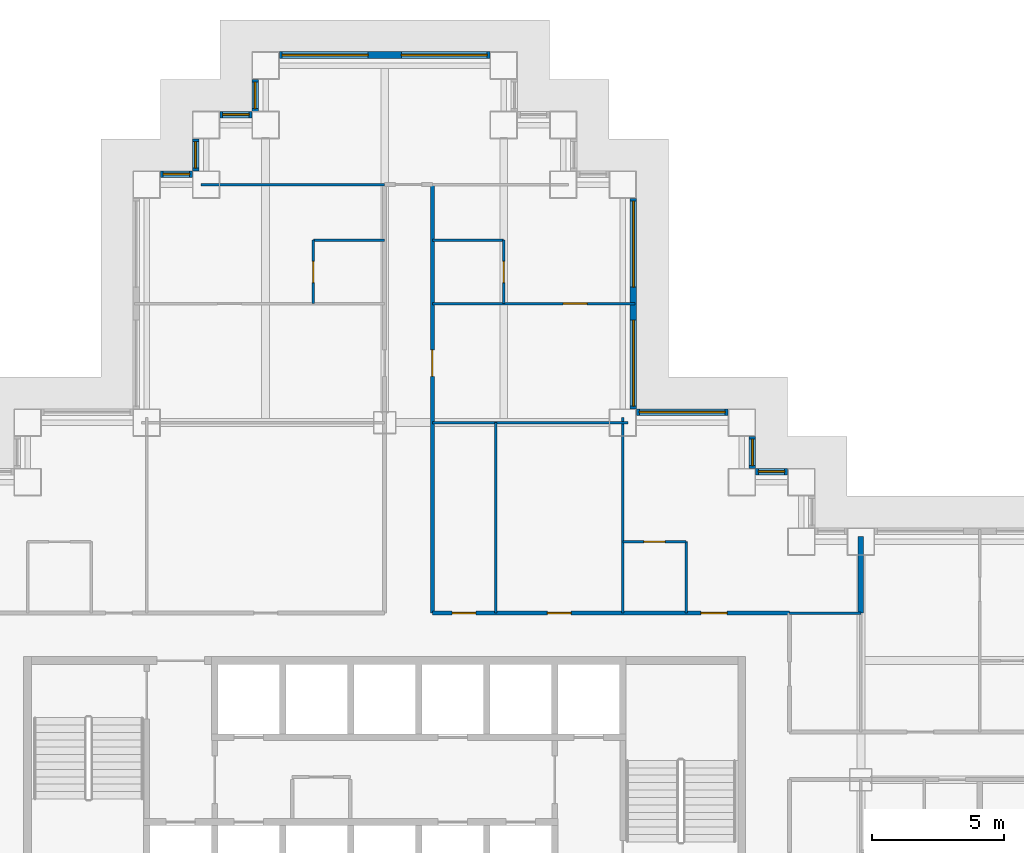
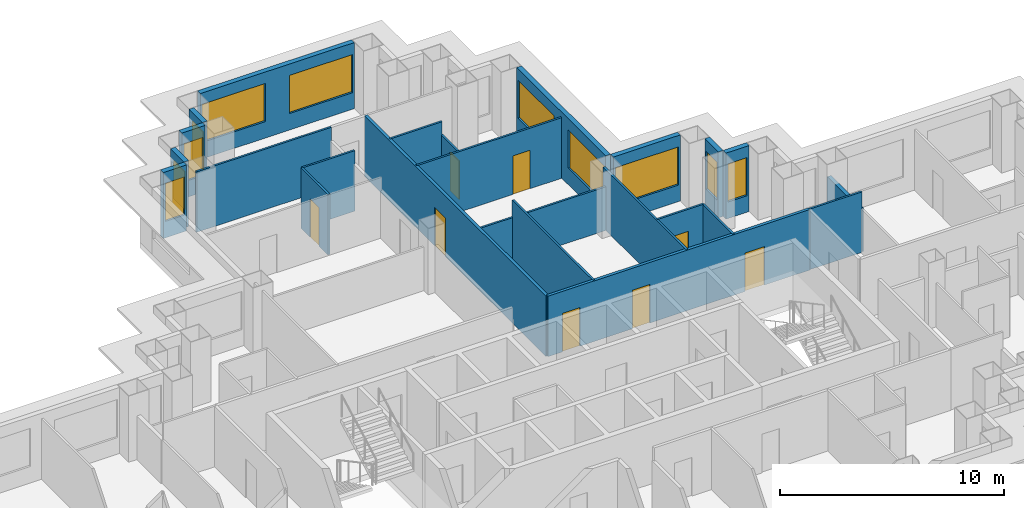
# One storey, part 8 of 14: 24 walls, 11 windows, 8 doors, 19 openings.
"""IFC4 building model written with IfcOpenShell, lengths in metres."""

from ifc_helpers import new_model, si_unit, direction, frame, frame_2d, origin, place, context, subcontext, project, spatial, rectangle, extrude, material, layer, layer_set, type_object, element, fill, save


model = new_model("IFC4")

# Units and contexts
model_context = context("Model", 3, precision=1e-05, world=origin(), true_north=direction((0.0, 1.0)))
body_context = subcontext(model_context, "Body", "Model", "MODEL_VIEW")
ifc_project = project(units=[si_unit("LENGTHUNIT", "METRE"), si_unit("AREAUNIT", "SQUARE_METRE"), si_unit("VOLUMEUNIT", "CUBIC_METRE"), si_unit("PLANEANGLEUNIT", "RADIAN"), si_unit("MASSUNIT", "GRAM", prefix="KILO")], contexts=[model_context])

# Site, building, storey
site_placement = place(None, origin())
site = spatial("IfcSite", under=ifc_project, at=site_placement, CompositionType="ELEMENT")
building_placement = place(site_placement, origin())
building = spatial("IfcBuilding", under=site, at=building_placement, Name="Caravel Reach Hotel and Residences", CompositionType="ELEMENT")
storey_placement = place(building_placement, frame((0.0, 0.0, 40.800048828125)))
storey = spatial("IfcBuildingStorey", under=building, at=storey_placement, Name="L08", CompositionType="ELEMENT", Elevation=40.800048828125)

# Wall, opening, door
ifc_material_1 = material(Name="Gypsum board on steel stud", Category="steel")
ifc_layer_1 = layer(ifc_material_1, 0.10009765625)
ifc_layer_set_1 = layer_set([ifc_layer_1], Name="Bathroom pod wall 100 mm")
wall_type_1 = type_object("IfcWallType", Name="Bathroom pod wall 100 mm", PredefinedType="PARTITIONING", material=ifc_layer_set_1)
wall_1_placement = place(storey_placement, frame((40.5, 36.0, 0.0), z_axis=(0.0, 0.0, 1.0), x_axis=(1.0, 0.0, 0.0)))
wall_1 = element("IfcWall", 1, at=wall_1_placement, inside=storey, type_object=wall_type_1, Name="L08 wall w086", PredefinedType="PARTITIONING", context=body_context, shape_type="SweptSolid", body=[
    extrude(rectangle(XDim=2.39990234375, YDim=0.10009765625, at=frame_2d((1.199951171875, 0.0))), origin(), (0.0, 0.0, 1.0), 3.300048828125),
])
opening_1_placement = place(wall_1_placement, frame((0.800048828125, 0.0, 0.0)))
opening_1 = element("IfcOpeningElement", 2, at=opening_1_placement, cuts=wall_1, Name="Opening D08-044", PredefinedType="OPENING", context=body_context, shape_type="SweptSolid", body=[
    extrude(rectangle(XDim=0.800048828125, YDim=2.10009765625, at=frame_2d((0.39990234375, 1.050048828125))), frame((0.0, 0.06005859375, 0.0), z_axis=(0.0, -1.0, 0.0), x_axis=(1.0, 0.0, 0.0)), (0.0, 0.0, 1.0), 0.1201171875),
])
ifc_material_2 = material(Name="Timber and steel door leaf", Category="steel")
door_type_1 = type_object("IfcDoorType", Name="Bathroom door 800 x 2100", OperationType="SINGLE_SWING_LEFT", PredefinedType="DOOR", material=ifc_material_2)
door_1_placement = place(opening_1_placement, origin())
door_1 = element("IfcDoor", 3, at=door_1_placement, inside=storey, type_object=door_type_1, Name="door D08-044", OperationType="SINGLE_SWING_RIGHT", OverallHeight=2.10009765625, OverallWidth=0.800048828125, PredefinedType="DOOR", context=body_context, shape_type="SweptSolid", body=[
    extrude(rectangle(XDim=0.800048828125, YDim=2.10009765625, at=frame_2d((0.39990234375, 1.050048828125))), frame((0.0, 0.02490234375, 0.0), z_axis=(0.0, -1.0, 0.0), x_axis=(1.0, 0.0, 0.0)), (0.0, 0.0, 1.0), 0.050048828125),
])
fill(opening_1, door_1)

# Walls
for number, where, z_axis, x_axis, name in (
    (4, (33.300048828125, 47.39990234375, 0.0), (0.0, 0.0, 1.0), (1.0, 0.0, 0.0), "L08 wall w087"),
    (5, (28.800048828125, 47.39990234375, 0.0), (0.0, 0.0, 1.0), (1.0, 0.0, 0.0), "L08 wall w088"),
):
    element("IfcWall", number, at=place(storey_placement, frame(where, z_axis=z_axis, x_axis=x_axis)), inside=storey, type_object=wall_type_1, Name=name, PredefinedType="PARTITIONING", context=body_context, shape_type="SweptSolid", body=[
        extrude(rectangle(XDim=2.699951171875, YDim=0.10009765625, at=frame_2d((1.35009765625, 0.0))), origin(), (0.0, 0.0, 1.0), 3.300048828125),
    ])

# Wall, opening, door
wall_2_placement = place(storey_placement, frame((28.800048828125, 45.0, 0.0), z_axis=(0.0, 0.0, 1.0), x_axis=(0.0, 1.0, 0.0)))
wall_2 = element("IfcWall", 6, at=wall_2_placement, inside=storey, type_object=wall_type_1, Name="L08 wall w096", PredefinedType="PARTITIONING", context=body_context, shape_type="SweptSolid", body=[
    extrude(rectangle(XDim=2.39990234375, YDim=0.10009765625, at=frame_2d((1.199951171875, 0.0))), origin(), (0.0, 0.0, 1.0), 3.300048828125),
])
opening_2_placement = place(wall_2_placement, frame((0.800048828125, 0.0, 0.0)))
opening_2 = element("IfcOpeningElement", 7, at=opening_2_placement, cuts=wall_2, Name="Opening D08-028", PredefinedType="OPENING", context=body_context, shape_type="SweptSolid", body=[
    extrude(rectangle(XDim=0.800048828125, YDim=2.10009765625, at=frame_2d((0.39990234375, 1.050048828125))), frame((0.0, 0.06005859375, 0.0), z_axis=(0.0, -1.0, 0.0), x_axis=(1.0, 0.0, 0.0)), (0.0, 0.0, 1.0), 0.1201171875),
])
door_2_placement = place(opening_2_placement, origin())
door_2 = element("IfcDoor", 8, at=door_2_placement, inside=storey, type_object=door_type_1, Name="door D08-028", OperationType="SINGLE_SWING_RIGHT", OverallHeight=2.10009765625, OverallWidth=0.800048828125, PredefinedType="DOOR", context=body_context, shape_type="SweptSolid", body=[
    extrude(rectangle(XDim=0.800048828125, YDim=2.10009765625, at=frame_2d((0.39990234375, 1.050048828125))), frame((0.0, 0.02490234375, 0.0), z_axis=(0.0, -1.0, 0.0), x_axis=(1.0, 0.0, 0.0)), (0.0, 0.0, 1.0), 0.050048828125),
])
fill(opening_2, door_2)

wall_3_placement = place(storey_placement, frame((36.0, 45.0, 0.0), z_axis=(0.0, 0.0, 1.0), x_axis=(0.0, 1.0, 0.0)))
wall_3 = element("IfcWall", 9, at=wall_3_placement, inside=storey, type_object=wall_type_1, Name="L08 wall w098", PredefinedType="PARTITIONING", context=body_context, shape_type="SweptSolid", body=[
    extrude(rectangle(XDim=2.39990234375, YDim=0.10009765625, at=frame_2d((1.199951171875, 0.0))), origin(), (0.0, 0.0, 1.0), 2.579833984375),
])
opening_3_placement = place(wall_3_placement, frame((0.800048828125, 0.0, 0.0)))
opening_3 = element("IfcOpeningElement", 10, at=opening_3_placement, cuts=wall_3, Name="Opening D08-031", PredefinedType="OPENING", context=body_context, shape_type="SweptSolid", body=[
    extrude(rectangle(XDim=0.800048828125, YDim=2.10009765625, at=frame_2d((0.39990234375, 1.050048828125))), frame((0.0, 0.06005859375, 0.0), z_axis=(0.0, -1.0, 0.0), x_axis=(1.0, 0.0, 0.0)), (0.0, 0.0, 1.0), 0.1201171875),
])
door_3_placement = place(opening_3_placement, origin())
door_3 = element("IfcDoor", 11, at=door_3_placement, inside=storey, type_object=door_type_1, Name="door D08-031", OperationType="SINGLE_SWING_RIGHT", OverallHeight=2.10009765625, OverallWidth=0.800048828125, PredefinedType="DOOR", context=body_context, shape_type="SweptSolid", body=[
    extrude(rectangle(XDim=0.800048828125, YDim=2.10009765625, at=frame_2d((0.39990234375, 1.050048828125))), frame((0.0, 0.02490234375, 0.0), z_axis=(0.0, -1.0, 0.0), x_axis=(1.0, 0.0, 0.0)), (0.0, 0.0, 1.0), 0.050048828125),
])
fill(opening_3, door_3)

# Wall
wall_4_placement = place(storey_placement, frame((42.89990234375, 33.300048828125, 0.0), z_axis=(0.0, 0.0, 1.0), x_axis=(0.0, 1.0, 0.0)))
element("IfcWall", 12, at=wall_4_placement, inside=storey, type_object=wall_type_1, Name="L08 wall w099", PredefinedType="PARTITIONING", context=body_context, shape_type="SweptSolid", body=[
    extrude(rectangle(XDim=2.699951171875, YDim=0.10009765625, at=frame_2d((1.35009765625, 0.0))), origin(), (0.0, 0.0, 1.0), 3.300048828125),
])

# Wall, openings, doors
ifc_material_3 = material(Name="Gypsum board on steel stud, fire-rated", Category="steel")
ifc_layer_2 = layer(ifc_material_3, 0.14990234375)
ifc_layer_set_2 = layer_set([ifc_layer_2], Name="Corridor wall 150 mm EI 60")
wall_type_2 = type_object("IfcWallType", Name="Corridor wall 150 mm EI 60", PredefinedType="PARTITIONING", material=ifc_layer_set_2)
wall_5_placement = place(storey_placement, frame((33.300048828125, 33.300048828125, 0.0), z_axis=(0.0, 0.0, 1.0), x_axis=(1.0, 0.0, 0.0)))
wall_5 = element("IfcWall", 13, at=wall_5_placement, inside=storey, type_object=wall_type_2, Name="L08 wall w019", PredefinedType="PARTITIONING", context=body_context, shape_type="SweptSolid", body=[
    extrude(rectangle(XDim=13.5, YDim=0.14990234375, at=frame_2d((6.75, 0.0))), origin(), (0.0, 0.0, 1.0), 3.300048828125),
])
opening_4_placement = place(wall_5_placement, frame((10.14990234375, 0.0, 0.0)))
opening_4 = element("IfcOpeningElement", 14, at=opening_4_placement, cuts=wall_5, Name="Opening D08-043", PredefinedType="OPENING", context=body_context, shape_type="SweptSolid", body=[
    extrude(rectangle(XDim=1.0, YDim=2.10009765625, at=frame_2d((0.5, 1.050048828125))), frame((0.0, 0.0849609375, 0.0), z_axis=(0.0, -1.0, 0.0), x_axis=(1.0, 0.0, 0.0)), (0.0, 0.0, 1.0), 0.169921875),
])
opening_5_placement = place(wall_5_placement, frame((0.75, 0.0, 0.0)))
opening_5 = element("IfcOpeningElement", 15, at=opening_5_placement, cuts=wall_5, Name="Opening D08-050", PredefinedType="OPENING", context=body_context, shape_type="SweptSolid", body=[
    extrude(rectangle(XDim=0.89990234375, YDim=2.10009765625, at=frame_2d((0.449951171875, 1.050048828125))), frame((0.0, 0.0849609375, 0.0), z_axis=(0.0, -1.0, 0.0), x_axis=(1.0, 0.0, 0.0)), (0.0, 0.0, 1.0), 0.169921875),
])
opening_6_placement = place(wall_5_placement, frame((4.349853515625, 0.0, 0.0)))
opening_6 = element("IfcOpeningElement", 16, at=opening_6_placement, cuts=wall_5, Name="Opening D08-051", PredefinedType="OPENING", context=body_context, shape_type="SweptSolid", body=[
    extrude(rectangle(XDim=0.89990234375, YDim=2.10009765625, at=frame_2d((0.449951171875, 1.050048828125))), frame((0.0, 0.0849609375, 0.0), z_axis=(0.0, -1.0, 0.0), x_axis=(1.0, 0.0, 0.0)), (0.0, 0.0, 1.0), 0.169921875),
])
ifc_material_4 = material(Name="Timber and steel door leaf", Category="steel")
door_type_2 = type_object("IfcDoorType", Name="Door 900 x 2100 timber", OperationType="SINGLE_SWING_LEFT", PredefinedType="DOOR", material=ifc_material_4)
door_4_placement = place(opening_5_placement, origin())
door_4 = element("IfcDoor", 17, at=door_4_placement, inside=storey, type_object=door_type_2, Name="door D08-050", OperationType="SINGLE_SWING_LEFT", OverallHeight=2.10009765625, OverallWidth=0.89990234375, PredefinedType="DOOR", context=body_context, shape_type="SweptSolid", body=[
    extrude(rectangle(XDim=0.89990234375, YDim=2.10009765625, at=frame_2d((0.449951171875, 1.050048828125))), frame((0.0, 0.02490234375, 0.0), z_axis=(0.0, -1.0, 0.0), x_axis=(1.0, 0.0, 0.0)), (0.0, 0.0, 1.0), 0.050048828125),
])
fill(opening_5, door_4)
door_5_placement = place(opening_6_placement, origin())
door_5 = element("IfcDoor", 18, at=door_5_placement, inside=storey, type_object=door_type_2, Name="door D08-051", OperationType="SINGLE_SWING_RIGHT", OverallHeight=2.10009765625, OverallWidth=0.89990234375, PredefinedType="DOOR", context=body_context, shape_type="SweptSolid", body=[
    extrude(rectangle(XDim=0.89990234375, YDim=2.10009765625, at=frame_2d((0.449951171875, 1.050048828125))), frame((0.0, 0.02490234375, 0.0), z_axis=(0.0, -1.0, 0.0), x_axis=(1.0, 0.0, 0.0)), (0.0, 0.0, 1.0), 0.050048828125),
])
fill(opening_6, door_5)
ifc_material_5 = material(Name="Steel fire door leaf", Category="steel")
door_type_3 = type_object("IfcDoorType", Name="Guest room door 1000 x 2100 EI 30", OperationType="SINGLE_SWING_LEFT", PredefinedType="DOOR", material=ifc_material_5)
door_6_placement = place(opening_4_placement, origin())
door_6 = element("IfcDoor", 19, at=door_6_placement, inside=storey, type_object=door_type_3, Name="door D08-043", OperationType="SINGLE_SWING_RIGHT", OverallHeight=2.10009765625, OverallWidth=1.0, PredefinedType="DOOR", context=body_context, shape_type="SweptSolid", body=[
    extrude(rectangle(XDim=1.0, YDim=2.10009765625, at=frame_2d((0.5, 1.050048828125))), frame((0.0, 0.02490234375, 0.0), z_axis=(0.0, -1.0, 0.0), x_axis=(1.0, 0.0, 0.0)), (0.0, 0.0, 1.0), 0.050048828125),
])
fill(opening_4, door_6)

# Wall, opening, door
wall_6_placement = place(storey_placement, frame((33.300048828125, 33.300048828125, 0.0), z_axis=(0.0, 0.0, 1.0), x_axis=(0.0, 1.0, 0.0)))
wall_6 = element("IfcWall", 20, at=wall_6_placement, inside=storey, type_object=wall_type_2, Name="L08 wall w031", PredefinedType="PARTITIONING", context=body_context, shape_type="SweptSolid", body=[
    extrude(rectangle(XDim=16.199951171875, YDim=0.14990234375, at=frame_2d((8.10009765625, 0.0))), origin(), (0.0, 0.0, 1.0), 3.300048828125),
])
opening_7_placement = place(wall_6_placement, frame((8.949951171875, 0.0, 0.0)))
opening_7 = element("IfcOpeningElement", 21, at=opening_7_placement, cuts=wall_6, Name="Opening D08-029", PredefinedType="OPENING", context=body_context, shape_type="SweptSolid", body=[
    extrude(rectangle(XDim=1.0, YDim=2.10009765625, at=frame_2d((0.5, 1.050048828125))), frame((0.0, 0.0849609375, 0.0), z_axis=(0.0, -1.0, 0.0), x_axis=(1.0, 0.0, 0.0)), (0.0, 0.0, 1.0), 0.169921875),
])
door_7_placement = place(opening_7_placement, origin())
door_7 = element("IfcDoor", 22, at=door_7_placement, inside=storey, type_object=door_type_3, Name="door D08-029", OperationType="SINGLE_SWING_LEFT", OverallHeight=2.10009765625, OverallWidth=1.0, PredefinedType="DOOR", context=body_context, shape_type="SweptSolid", body=[
    extrude(rectangle(XDim=1.0, YDim=2.10009765625, at=frame_2d((0.5, 1.050048828125))), frame((0.0, 0.02490234375, 0.0), z_axis=(0.0, -1.0, 0.0), x_axis=(1.0, 0.0, 0.0)), (0.0, 0.0, 1.0), 0.050048828125),
])
fill(opening_7, door_7)

# Wall, opening, window
ifc_material_6 = material(Name="Insulated rainscreen wall, aluminium cladding", Category="aluminium")
ifc_layer_3 = layer(ifc_material_6, 0.25)
ifc_layer_set_3 = layer_set([ifc_layer_3], Name="EW1 Tower rainscreen wall")
wall_type_3 = type_object("IfcWallType", Name="EW1 Tower rainscreen wall", PredefinedType="SOLIDWALL", material=ifc_layer_set_3)
wall_7_placement = place(storey_placement, frame((46.72509765625, 38.64990234375, 0.0), z_axis=(0.0, 0.0, 1.0), x_axis=(-1.0, 0.0, 0.0)))
wall_7 = element("IfcWall", 23, at=wall_7_placement, inside=storey, type_object=wall_type_3, Name="External wall L08 N27.1", PredefinedType="SOLIDWALL", context=body_context, shape_type="SweptSolid", body=[
    extrude(rectangle(XDim=1.2001953125, YDim=0.25, at=frame_2d((0.60009765625, 0.0))), origin(), (0.0, 0.0, 1.0), 3.599853515625),
])
opening_8_placement = place(wall_7_placement, frame((0.10009765625, 0.0, 0.89990234375)))
opening_8 = element("IfcOpeningElement", 24, at=opening_8_placement, cuts=wall_7, Name="Opening WN1", PredefinedType="OPENING", context=body_context, shape_type="SweptSolid", body=[
    extrude(rectangle(XDim=1.0, YDim=2.080078125, at=frame_2d((0.5, 1.0400390625))), frame((0.0, 0.135009765625, 0.0), z_axis=(0.0, -1.0, 0.0), x_axis=(1.0, 0.0, 0.0)), (0.0, 0.0, 1.0), 0.27001953125),
])
ifc_material_7 = material(Name="Dark low-e glazing in black aluminium frame", Category="aluminium")
window_type_1 = type_object("IfcWindowType", Name="Hotel suite corner window 1000 x 2080", PartitioningType="SINGLE_PANEL", PredefinedType="WINDOW", material=ifc_material_7)
window_1_placement = place(opening_8_placement, origin())
window_1 = element("IfcWindow", 25, at=window_1_placement, inside=storey, type_object=window_type_1, Name="Window L08 N27.1.1", OverallHeight=2.080078125, OverallWidth=1.0, PartitioningType="SINGLE_PANEL", PredefinedType="WINDOW", context=body_context, shape_type="SweptSolid", body=[
    extrude(rectangle(XDim=1.0, YDim=2.080078125, at=frame_2d((0.5, 1.0400390625))), frame((0.0, 0.030029296875, 0.0), z_axis=(0.0, -1.0, 0.0), x_axis=(1.0, 0.0, 0.0)), (0.0, 0.0, 1.0), 0.06005859375),
])
fill(opening_8, window_1)

wall_8_placement = place(storey_placement, frame((45.39990234375, 38.77490234375, 0.0), z_axis=(0.0, 0.0, 1.0), x_axis=(0.0, 1.0, 0.0)))
wall_8 = element("IfcWall", 26, at=wall_8_placement, inside=storey, type_object=wall_type_3, Name="External wall L08 E28.1", PredefinedType="SOLIDWALL", context=body_context, shape_type="SweptSolid", body=[
    extrude(rectangle(XDim=1.2001953125, YDim=0.25, at=frame_2d((0.60009765625, 0.0))), origin(), (0.0, 0.0, 1.0), 3.599853515625),
])
opening_9_placement = place(wall_8_placement, frame((0.10009765625, 0.0, 0.89990234375)))
opening_9 = element("IfcOpeningElement", 27, at=opening_9_placement, cuts=wall_8, Name="Opening WN1", PredefinedType="OPENING", context=body_context, shape_type="SweptSolid", body=[
    extrude(rectangle(XDim=1.0, YDim=2.080078125, at=frame_2d((0.5, 1.0400390625))), frame((0.0, 0.135009765625, 0.0), z_axis=(0.0, -1.0, 0.0), x_axis=(1.0, 0.0, 0.0)), (0.0, 0.0, 1.0), 0.27001953125),
])
window_2_placement = place(opening_9_placement, origin())
window_2 = element("IfcWindow", 28, at=window_2_placement, inside=storey, type_object=window_type_1, Name="Window L08 E28.1.1", OverallHeight=2.080078125, OverallWidth=1.0, PartitioningType="SINGLE_PANEL", PredefinedType="WINDOW", context=body_context, shape_type="SweptSolid", body=[
    extrude(rectangle(XDim=1.0, YDim=2.080078125, at=frame_2d((0.5, 1.0400390625))), frame((0.0, 0.030029296875, 0.0), z_axis=(0.0, -1.0, 0.0), x_axis=(1.0, 0.0, 0.0)), (0.0, 0.0, 1.0), 0.06005859375),
])
fill(opening_9, window_2)

wall_9_placement = place(storey_placement, frame((44.47509765625, 40.89990234375, 0.0), z_axis=(0.0, 0.0, 1.0), x_axis=(-1.0, 0.0, 0.0)))
wall_9 = element("IfcWall", 29, at=wall_9_placement, inside=storey, type_object=wall_type_3, Name="External wall L08 N29.1", PredefinedType="SOLIDWALL", context=body_context, shape_type="SweptSolid", body=[
    extrude(rectangle(XDim=3.4501953125, YDim=0.25, at=frame_2d((1.72509765625, 0.0))), origin(), (0.0, 0.0, 1.0), 3.599853515625),
])
opening_10_placement = place(wall_9_placement, frame((0.10009765625, 0.0, 0.89990234375)))
opening_10 = element("IfcOpeningElement", 30, at=opening_10_placement, cuts=wall_9, Name="Opening WN2", PredefinedType="OPENING", context=body_context, shape_type="SweptSolid", body=[
    extrude(rectangle(XDim=3.25, YDim=2.080078125, at=frame_2d((1.625, 1.0400390625))), frame((0.0, 0.135009765625, 0.0), z_axis=(0.0, -1.0, 0.0), x_axis=(1.0, 0.0, 0.0)), (0.0, 0.0, 1.0), 0.27001953125),
])
ifc_material_8 = material(Name="Dark low-e glazing in black aluminium frame", Category="aluminium")
window_type_2 = type_object("IfcWindowType", Name="Hotel guest room window 3250 x 2080", PartitioningType="SINGLE_PANEL", PredefinedType="WINDOW", material=ifc_material_8)
window_3_placement = place(opening_10_placement, origin())
window_3 = element("IfcWindow", 31, at=window_3_placement, inside=storey, type_object=window_type_2, Name="Window L08 N29.1.1", OverallHeight=2.080078125, OverallWidth=3.25, PartitioningType="SINGLE_PANEL", PredefinedType="WINDOW", context=body_context, shape_type="SweptSolid", body=[
    extrude(rectangle(XDim=3.25, YDim=2.080078125, at=frame_2d((1.625, 1.0400390625))), frame((0.0, 0.030029296875, 0.0), z_axis=(0.0, -1.0, 0.0), x_axis=(1.0, 0.0, 0.0)), (0.0, 0.0, 1.0), 0.06005859375),
])
fill(opening_10, window_3)

# Wall, openings, windows
wall_10_placement = place(storey_placement, frame((40.89990234375, 41.02490234375, 0.0), z_axis=(0.0, 0.0, 1.0), x_axis=(0.0, 1.0, 0.0)))
wall_10 = element("IfcWall", 32, at=wall_10_placement, inside=storey, type_object=wall_type_3, Name="External wall L08 E30.1", PredefinedType="SOLIDWALL", context=body_context, shape_type="SweptSolid", body=[
    extrude(rectangle(XDim=7.9501953125, YDim=0.25, at=frame_2d((3.97509765625, 0.0))), origin(), (0.0, 0.0, 1.0), 3.599853515625),
])
opening_11_placement = place(wall_10_placement, frame((0.10009765625, 0.0, 0.89990234375)))
opening_11 = element("IfcOpeningElement", 33, at=opening_11_placement, cuts=wall_10, Name="Opening WN2", PredefinedType="OPENING", context=body_context, shape_type="SweptSolid", body=[
    extrude(rectangle(XDim=3.25, YDim=2.080078125, at=frame_2d((1.625, 1.0400390625))), frame((0.0, 0.135009765625, 0.0), z_axis=(0.0, -1.0, 0.0), x_axis=(1.0, 0.0, 0.0)), (0.0, 0.0, 1.0), 0.27001953125),
])
opening_12_placement = place(wall_10_placement, frame((4.60009765625, 0.0, 0.89990234375)))
opening_12 = element("IfcOpeningElement", 34, at=opening_12_placement, cuts=wall_10, Name="Opening WN2", PredefinedType="OPENING", context=body_context, shape_type="SweptSolid", body=[
    extrude(rectangle(XDim=3.25, YDim=2.080078125, at=frame_2d((1.625, 1.0400390625))), frame((0.0, 0.135009765625, 0.0), z_axis=(0.0, -1.0, 0.0), x_axis=(1.0, 0.0, 0.0)), (0.0, 0.0, 1.0), 0.27001953125),
])
window_4_placement = place(opening_11_placement, origin())
window_4 = element("IfcWindow", 35, at=window_4_placement, inside=storey, type_object=window_type_2, Name="Window L08 E30.1.1", OverallHeight=2.080078125, OverallWidth=3.25, PartitioningType="SINGLE_PANEL", PredefinedType="WINDOW", context=body_context, shape_type="SweptSolid", body=[
    extrude(rectangle(XDim=3.25, YDim=2.080078125, at=frame_2d((1.625, 1.0400390625))), frame((0.0, 0.030029296875, 0.0), z_axis=(0.0, -1.0, 0.0), x_axis=(1.0, 0.0, 0.0)), (0.0, 0.0, 1.0), 0.06005859375),
])
fill(opening_11, window_4)
window_5_placement = place(opening_12_placement, origin())
window_5 = element("IfcWindow", 36, at=window_5_placement, inside=storey, type_object=window_type_2, Name="Window L08 E30.1.2", OverallHeight=2.080078125, OverallWidth=3.25, PartitioningType="SINGLE_PANEL", PredefinedType="WINDOW", context=body_context, shape_type="SweptSolid", body=[
    extrude(rectangle(XDim=3.25, YDim=2.080078125, at=frame_2d((1.625, 1.0400390625))), frame((0.0, 0.030029296875, 0.0), z_axis=(0.0, -1.0, 0.0), x_axis=(1.0, 0.0, 0.0)), (0.0, 0.0, 1.0), 0.06005859375),
])
fill(opening_12, window_5)

wall_11_placement = place(storey_placement, frame((35.47509765625, 54.39990234375, 0.0), z_axis=(0.0, 0.0, 1.0), x_axis=(-1.0, 0.0, 0.0)))
wall_11 = element("IfcWall", 37, at=wall_11_placement, inside=storey, type_object=wall_type_3, Name="External wall L08 N35.1", PredefinedType="SOLIDWALL", context=body_context, shape_type="SweptSolid", body=[
    extrude(rectangle(XDim=7.9501953125, YDim=0.25, at=frame_2d((3.97509765625, 0.0))), origin(), (0.0, 0.0, 1.0), 3.599853515625),
])
opening_13_placement = place(wall_11_placement, frame((0.10009765625, 0.0, 0.89990234375)))
opening_13 = element("IfcOpeningElement", 38, at=opening_13_placement, cuts=wall_11, Name="Opening WN2", PredefinedType="OPENING", context=body_context, shape_type="SweptSolid", body=[
    extrude(rectangle(XDim=3.25, YDim=2.080078125, at=frame_2d((1.625, 1.0400390625))), frame((0.0, 0.135009765625, 0.0), z_axis=(0.0, -1.0, 0.0), x_axis=(1.0, 0.0, 0.0)), (0.0, 0.0, 1.0), 0.27001953125),
])
opening_14_placement = place(wall_11_placement, frame((4.60009765625, 0.0, 0.89990234375)))
opening_14 = element("IfcOpeningElement", 39, at=opening_14_placement, cuts=wall_11, Name="Opening WN2", PredefinedType="OPENING", context=body_context, shape_type="SweptSolid", body=[
    extrude(rectangle(XDim=3.25, YDim=2.080078125, at=frame_2d((1.625, 1.0400390625))), frame((0.0, 0.135009765625, 0.0), z_axis=(0.0, -1.0, 0.0), x_axis=(1.0, 0.0, 0.0)), (0.0, 0.0, 1.0), 0.27001953125),
])
window_6_placement = place(opening_13_placement, origin())
window_6 = element("IfcWindow", 40, at=window_6_placement, inside=storey, type_object=window_type_2, Name="Window L08 N35.1.1", OverallHeight=2.080078125, OverallWidth=3.25, PartitioningType="SINGLE_PANEL", PredefinedType="WINDOW", context=body_context, shape_type="SweptSolid", body=[
    extrude(rectangle(XDim=3.25, YDim=2.080078125, at=frame_2d((1.625, 1.0400390625))), frame((0.0, 0.030029296875, 0.0), z_axis=(0.0, -1.0, 0.0), x_axis=(1.0, 0.0, 0.0)), (0.0, 0.0, 1.0), 0.06005859375),
])
fill(opening_13, window_6)
window_7_placement = place(opening_14_placement, origin())
window_7 = element("IfcWindow", 41, at=window_7_placement, inside=storey, type_object=window_type_2, Name="Window L08 N35.1.2", OverallHeight=2.080078125, OverallWidth=3.25, PartitioningType="SINGLE_PANEL", PredefinedType="WINDOW", context=body_context, shape_type="SweptSolid", body=[
    extrude(rectangle(XDim=3.25, YDim=2.080078125, at=frame_2d((1.625, 1.0400390625))), frame((0.0, 0.030029296875, 0.0), z_axis=(0.0, -1.0, 0.0), x_axis=(1.0, 0.0, 0.0)), (0.0, 0.0, 1.0), 0.06005859375),
])
fill(opening_14, window_7)

# Wall, opening, window
wall_12_placement = place(storey_placement, frame((26.60009765625, 53.47509765625, 0.0), z_axis=(0.0, 0.0, 1.0), x_axis=(0.0, -1.0, 0.0)))
wall_12 = element("IfcWall", 42, at=wall_12_placement, inside=storey, type_object=wall_type_3, Name="External wall L08 W36.1", PredefinedType="SOLIDWALL", context=body_context, shape_type="SweptSolid", body=[
    extrude(rectangle(XDim=1.2001953125, YDim=0.25, at=frame_2d((0.60009765625, 0.0))), origin(), (0.0, 0.0, 1.0), 3.599853515625),
])
opening_15_placement = place(wall_12_placement, frame((0.10009765625, 0.0, 0.89990234375)))
opening_15 = element("IfcOpeningElement", 43, at=opening_15_placement, cuts=wall_12, Name="Opening WN1", PredefinedType="OPENING", context=body_context, shape_type="SweptSolid", body=[
    extrude(rectangle(XDim=1.0, YDim=2.080078125, at=frame_2d((0.5, 1.0400390625))), frame((0.0, 0.135009765625, 0.0), z_axis=(0.0, -1.0, 0.0), x_axis=(1.0, 0.0, 0.0)), (0.0, 0.0, 1.0), 0.27001953125),
])
window_8_placement = place(opening_15_placement, origin())
window_8 = element("IfcWindow", 44, at=window_8_placement, inside=storey, type_object=window_type_1, Name="Window L08 W36.1.1", OverallHeight=2.080078125, OverallWidth=1.0, PartitioningType="SINGLE_PANEL", PredefinedType="WINDOW", context=body_context, shape_type="SweptSolid", body=[
    extrude(rectangle(XDim=1.0, YDim=2.080078125, at=frame_2d((0.5, 1.0400390625))), frame((0.0, 0.030029296875, 0.0), z_axis=(0.0, -1.0, 0.0), x_axis=(1.0, 0.0, 0.0)), (0.0, 0.0, 1.0), 0.06005859375),
])
fill(opening_15, window_8)

wall_13_placement = place(storey_placement, frame((26.47509765625, 52.14990234375, 0.0), z_axis=(0.0, 0.0, 1.0), x_axis=(-1.0, 0.0, 0.0)))
wall_13 = element("IfcWall", 45, at=wall_13_placement, inside=storey, type_object=wall_type_3, Name="External wall L08 N37.1", PredefinedType="SOLIDWALL", context=body_context, shape_type="SweptSolid", body=[
    extrude(rectangle(XDim=1.2001953125, YDim=0.25, at=frame_2d((0.60009765625, 0.0))), origin(), (0.0, 0.0, 1.0), 3.599853515625),
])
opening_16_placement = place(wall_13_placement, frame((0.10009765625, 0.0, 0.89990234375)))
opening_16 = element("IfcOpeningElement", 46, at=opening_16_placement, cuts=wall_13, Name="Opening WN1", PredefinedType="OPENING", context=body_context, shape_type="SweptSolid", body=[
    extrude(rectangle(XDim=1.0, YDim=2.080078125, at=frame_2d((0.5, 1.0400390625))), frame((0.0, 0.135009765625, 0.0), z_axis=(0.0, -1.0, 0.0), x_axis=(1.0, 0.0, 0.0)), (0.0, 0.0, 1.0), 0.27001953125),
])
window_9_placement = place(opening_16_placement, origin())
window_9 = element("IfcWindow", 47, at=window_9_placement, inside=storey, type_object=window_type_1, Name="Window L08 N37.1.1", OverallHeight=2.080078125, OverallWidth=1.0, PartitioningType="SINGLE_PANEL", PredefinedType="WINDOW", context=body_context, shape_type="SweptSolid", body=[
    extrude(rectangle(XDim=1.0, YDim=2.080078125, at=frame_2d((0.5, 1.0400390625))), frame((0.0, 0.030029296875, 0.0), z_axis=(0.0, -1.0, 0.0), x_axis=(1.0, 0.0, 0.0)), (0.0, 0.0, 1.0), 0.06005859375),
])
fill(opening_16, window_9)

wall_14_placement = place(storey_placement, frame((24.35009765625, 51.22509765625, 0.0), z_axis=(0.0, 0.0, 1.0), x_axis=(0.0, -1.0, 0.0)))
wall_14 = element("IfcWall", 48, at=wall_14_placement, inside=storey, type_object=wall_type_3, Name="External wall L08 W38.1", PredefinedType="SOLIDWALL", context=body_context, shape_type="SweptSolid", body=[
    extrude(rectangle(XDim=1.2001953125, YDim=0.25, at=frame_2d((0.60009765625, 0.0))), origin(), (0.0, 0.0, 1.0), 3.599853515625),
])
opening_17_placement = place(wall_14_placement, frame((0.10009765625, 0.0, 0.89990234375)))
opening_17 = element("IfcOpeningElement", 49, at=opening_17_placement, cuts=wall_14, Name="Opening WN1", PredefinedType="OPENING", context=body_context, shape_type="SweptSolid", body=[
    extrude(rectangle(XDim=1.0, YDim=2.080078125, at=frame_2d((0.5, 1.0400390625))), frame((0.0, 0.135009765625, 0.0), z_axis=(0.0, -1.0, 0.0), x_axis=(1.0, 0.0, 0.0)), (0.0, 0.0, 1.0), 0.27001953125),
])
window_10_placement = place(opening_17_placement, origin())
window_10 = element("IfcWindow", 50, at=window_10_placement, inside=storey, type_object=window_type_1, Name="Window L08 W38.1.1", OverallHeight=2.080078125, OverallWidth=1.0, PartitioningType="SINGLE_PANEL", PredefinedType="WINDOW", context=body_context, shape_type="SweptSolid", body=[
    extrude(rectangle(XDim=1.0, YDim=2.080078125, at=frame_2d((0.5, 1.0400390625))), frame((0.0, 0.030029296875, 0.0), z_axis=(0.0, -1.0, 0.0), x_axis=(1.0, 0.0, 0.0)), (0.0, 0.0, 1.0), 0.06005859375),
])
fill(opening_17, window_10)

wall_15_placement = place(storey_placement, frame((24.22509765625, 49.89990234375, 0.0), z_axis=(0.0, 0.0, 1.0), x_axis=(-1.0, 0.0, 0.0)))
wall_15 = element("IfcWall", 51, at=wall_15_placement, inside=storey, type_object=wall_type_3, Name="External wall L08 N39.1", PredefinedType="SOLIDWALL", context=body_context, shape_type="SweptSolid", body=[
    extrude(rectangle(XDim=1.2001953125, YDim=0.25, at=frame_2d((0.60009765625, 0.0))), origin(), (0.0, 0.0, 1.0), 3.599853515625),
])
opening_18_placement = place(wall_15_placement, frame((0.10009765625, 0.0, 0.89990234375)))
opening_18 = element("IfcOpeningElement", 52, at=opening_18_placement, cuts=wall_15, Name="Opening WN1", PredefinedType="OPENING", context=body_context, shape_type="SweptSolid", body=[
    extrude(rectangle(XDim=1.0, YDim=2.080078125, at=frame_2d((0.5, 1.0400390625))), frame((0.0, 0.135009765625, 0.0), z_axis=(0.0, -1.0, 0.0), x_axis=(1.0, 0.0, 0.0)), (0.0, 0.0, 1.0), 0.27001953125),
])
window_11_placement = place(opening_18_placement, origin())
window_11 = element("IfcWindow", 53, at=window_11_placement, inside=storey, type_object=window_type_1, Name="Window L08 N39.1.1", OverallHeight=2.080078125, OverallWidth=1.0, PartitioningType="SINGLE_PANEL", PredefinedType="WINDOW", context=body_context, shape_type="SweptSolid", body=[
    extrude(rectangle(XDim=1.0, YDim=2.080078125, at=frame_2d((0.5, 1.0400390625))), frame((0.0, 0.030029296875, 0.0), z_axis=(0.0, -1.0, 0.0), x_axis=(1.0, 0.0, 0.0)), (0.0, 0.0, 1.0), 0.06005859375),
])
fill(opening_18, window_11)

# Walls
ifc_material_9 = material(Name="Gypsum board on steel stud", Category="steel")
ifc_layer_4 = layer(ifc_material_9, 0.10009765625)
ifc_layer_set_4 = layer_set([ifc_layer_4], Name="Partition 100 mm")
wall_type_4 = type_object("IfcWallType", Name="Partition 100 mm", PredefinedType="PARTITIONING", material=ifc_layer_set_4)
wall_16_placement = place(storey_placement, frame((46.800048828125, 33.300048828125, 0.0), z_axis=(0.0, 0.0, 1.0), x_axis=(1.0, 0.0, 0.0)))
element("IfcWall", 54, at=wall_16_placement, inside=storey, type_object=wall_type_4, Name="L08 wall w044", PredefinedType="PARTITIONING", context=body_context, shape_type="SweptSolid", body=[
    extrude(rectangle(XDim=2.699951171875, YDim=0.10009765625, at=frame_2d((1.35009765625, 0.0))), origin(), (0.0, 0.0, 1.0), 3.300048828125),
])
wall_17_placement = place(storey_placement, frame((33.300048828125, 40.5, 0.0), z_axis=(0.0, 0.0, 1.0), x_axis=(1.0, 0.0, 0.0)))
element("IfcWall", 55, at=wall_17_placement, inside=storey, type_object=wall_type_4, Name="L08 wall w045", PredefinedType="PARTITIONING", context=body_context, shape_type="SweptSolid", body=[
    extrude(rectangle(XDim=7.389892578125, YDim=0.10009765625, at=frame_2d((3.69482421875, 0.0))), origin(), (0.0, 0.0, 1.0), 2.3798828125),
])

# Wall, opening, door
wall_18_placement = place(storey_placement, frame((33.300048828125, 45.0, 0.0), z_axis=(0.0, 0.0, 1.0), x_axis=(1.0, 0.0, 0.0)))
wall_18 = element("IfcWall", 56, at=wall_18_placement, inside=storey, type_object=wall_type_4, Name="L08 wall w048", PredefinedType="PARTITIONING", context=body_context, shape_type="SweptSolid", body=[
    extrude(rectangle(XDim=7.6650390625, YDim=0.10009765625, at=frame_2d((3.83251953125, 0.0))), origin(), (0.0, 0.0, 1.0), 3.300048828125),
])
opening_19_placement = place(wall_18_placement, frame((4.949951171875, 0.0, 0.0)))
opening_19 = element("IfcOpeningElement", 57, at=opening_19_placement, cuts=wall_18, Name="Opening D08-030", PredefinedType="OPENING", context=body_context, shape_type="SweptSolid", body=[
    extrude(rectangle(XDim=0.89990234375, YDim=2.10009765625, at=frame_2d((0.449951171875, 1.050048828125))), frame((0.0, 0.06005859375, 0.0), z_axis=(0.0, -1.0, 0.0), x_axis=(1.0, 0.0, 0.0)), (0.0, 0.0, 1.0), 0.1201171875),
])
door_8_placement = place(opening_19_placement, origin())
door_8 = element("IfcDoor", 58, at=door_8_placement, inside=storey, type_object=door_type_2, Name="door D08-030", OperationType="SINGLE_SWING_RIGHT", OverallHeight=2.10009765625, OverallWidth=0.89990234375, PredefinedType="DOOR", context=body_context, shape_type="SweptSolid", body=[
    extrude(rectangle(XDim=0.89990234375, YDim=2.10009765625, at=frame_2d((0.449951171875, 1.050048828125))), frame((0.0, 0.02490234375, 0.0), z_axis=(0.0, -1.0, 0.0), x_axis=(1.0, 0.0, 0.0)), (0.0, 0.0, 1.0), 0.050048828125),
])
fill(opening_19, door_8)

# Walls
wall_19_placement = place(storey_placement, frame((24.56005859375, 49.5, 0.0), z_axis=(0.0, 0.0, 1.0), x_axis=(1.0, 0.0, 0.0)))
element("IfcWall", 59, at=wall_19_placement, inside=storey, type_object=wall_type_4, Name="L08 wall w051", PredefinedType="PARTITIONING", context=body_context, shape_type="SweptSolid", body=[
    extrude(rectangle(XDim=6.93994140625, YDim=0.10009765625, at=frame_2d((3.469970703125, 0.0))), origin(), (0.0, 0.0, 1.0), 3.300048828125),
])
wall_20_placement = place(storey_placement, frame((35.699951171875, 33.300048828125, 0.0), z_axis=(0.0, 0.0, 1.0), x_axis=(0.0, 1.0, 0.0)))
element("IfcWall", 60, at=wall_20_placement, inside=storey, type_object=wall_type_4, Name="L08 wall w059", PredefinedType="PARTITIONING", context=body_context, shape_type="SweptSolid", body=[
    extrude(rectangle(XDim=7.199951171875, YDim=0.10009765625, at=frame_2d((3.60009765625, 0.0))), origin(), (0.0, 0.0, 1.0), 3.300048828125),
])
wall_21_placement = place(storey_placement, frame((40.5, 33.300048828125, 0.0), z_axis=(0.0, 0.0, 1.0), x_axis=(0.0, 1.0, 0.0)))
element("IfcWall", 61, at=wall_21_placement, inside=storey, type_object=wall_type_4, Name="L08 wall w060", PredefinedType="PARTITIONING", context=body_context, shape_type="SweptSolid", body=[
    extrude(rectangle(XDim=7.389892578125, YDim=0.10009765625, at=frame_2d((3.69482421875, 0.0))), origin(), (0.0, 0.0, 1.0), 3.300048828125),
])
ifc_material_10 = material(Name="Autoclaved aerated block wall")
ifc_layer_5 = layer(ifc_material_10, 0.199951171875)
ifc_layer_set_5 = layer_set([ifc_layer_5], Name="Party wall 200 mm EI 60")
wall_type_5 = type_object("IfcWallType", Name="Party wall 200 mm EI 60", PredefinedType="PARTITIONING", material=ifc_layer_set_5)
wall_22_placement = place(storey_placement, frame((49.5, 33.300048828125, 0.0), z_axis=(0.0, 0.0, 1.0), x_axis=(0.0, 1.0, 0.0)))
element("IfcWall", 62, at=wall_22_placement, inside=storey, type_object=wall_type_5, Name="L08 wall w070", PredefinedType="PARTITIONING", context=body_context, shape_type="SweptSolid", body=[
    extrude(rectangle(XDim=2.889892578125, YDim=0.199951171875, at=frame_2d((1.44482421875, 0.0))), origin(), (0.0, 0.0, 1.0), 2.3798828125),
])

save(model, "model.ifc")
